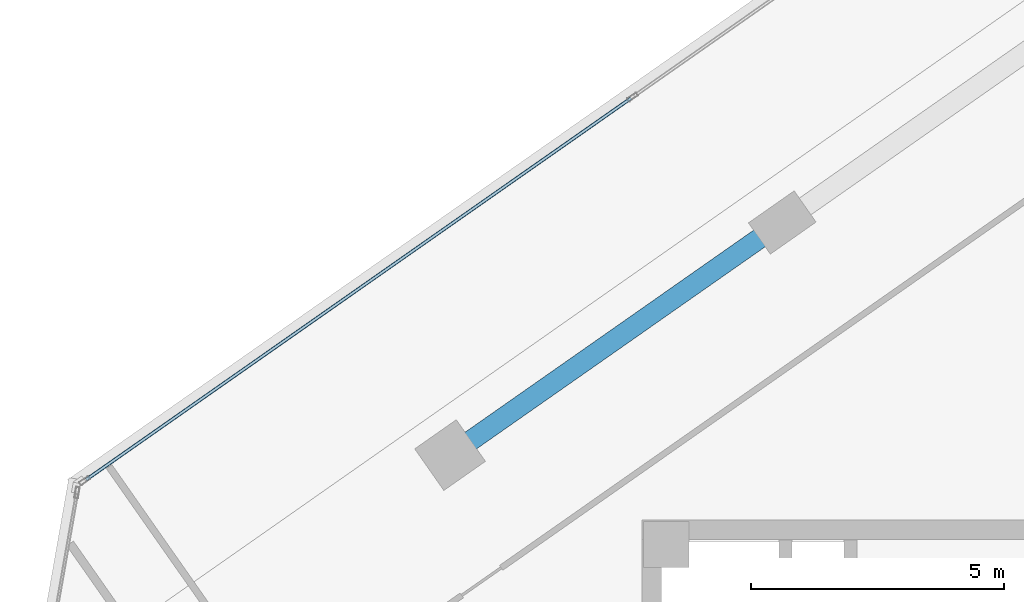
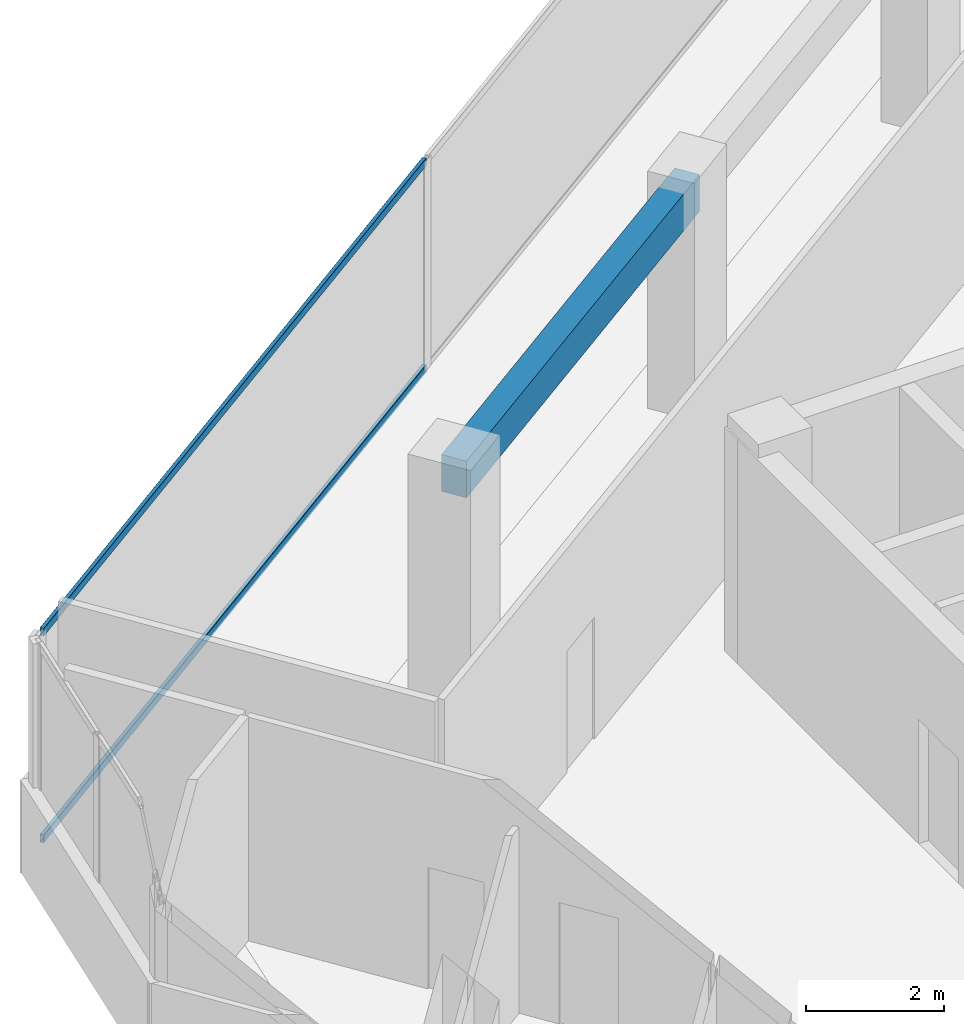
# One storey, part 6 of 17: 2 members, 1 beam, 1 element without a shape of its own.
"""IFC4 building model written with IfcOpenShell, lengths in metres."""

from ifc_helpers import new_model, si_unit, direction, frame, origin, origin_2d, place, context, subcontext, project, spatial, rectangle, hollow_rectangle, extrude, source, transform, mapped, material, material_profile, profile_set, type_object, element, aggregate, save


model = new_model("IFC4")

# Units and contexts
model_context = context("Model", 3, precision=1e-05, world=origin(), true_north=direction((0.0, 1.0)))
body_context = subcontext(model_context, "Body", "Model", "MODEL_VIEW")
ifc_project = project(units=[si_unit("LENGTHUNIT", "METRE"), si_unit("AREAUNIT", "SQUARE_METRE"), si_unit("VOLUMEUNIT", "CUBIC_METRE"), si_unit("PLANEANGLEUNIT", "RADIAN"), si_unit("MASSUNIT", "GRAM", prefix="KILO")], contexts=[model_context])

# Site, building, storey
site_placement = place(None, origin())
site = spatial("IfcSite", under=ifc_project, at=site_placement, CompositionType="ELEMENT")
building_placement = place(site_placement, origin())
building = spatial("IfcBuilding", under=site, at=building_placement, Name="Torre Montelarca", CompositionType="ELEMENT")
storey_placement = place(building_placement, frame((0.0, 0.0, 298.800048828125)))
storey = spatial("IfcBuildingStorey", under=building, at=storey_placement, Name="L67", CompositionType="ELEMENT", Elevation=298.800048828125)

# Beam
ifc_material_1 = material(Name="Concrete C40/50", Category="concrete")
ifc_material_profile_1 = material_profile(ifc_material_1, rectangle(XDim=0.39990234375, YDim=0.64990234375, at=origin_2d()), Name="RCB400X650", Category="concrete")
ifc_profile_set_1 = profile_set([ifc_material_profile_1], Name="Concrete C40/50")
beam_type = type_object("IfcBeamType", Name="BM-SP-RC650-EXT", PredefinedType="SPANDREL", material=ifc_profile_set_1)
shared_shape_1 = source(origin(), body_context, "Body", "SweptSolid", [
    extrude(rectangle(XDim=0.39990234375, YDim=0.64990234375, at=origin_2d()), origin(), (0.0, 0.0, 1.0), 8.0),
])
beam_placement = place(storey_placement, frame((5.281982421875, 41.214111328125, 3.635009765625), z_axis=(0.819151624752, 0.573577035512, 0.0), x_axis=(-0.573577035512, 0.819151624752, 0.0)))
element("IfcBeam", 1, at=beam_placement, inside=storey, type_object=beam_type, Name="L67 Grid Girder Y 24.0-32.0 at X=4.7", PredefinedType="SPANDREL", context=body_context, shape_type="MappedRepresentation", body=[
    mapped(shared_shape_1, transform((0.0, 0.0, 0.0), scale=1.0)),
])

# Curtain wall, members
ifc_material_2 = material(Name="Insulated low-E laminated glass", Category="glass")
curtain_wall_type = type_object("IfcCurtainWallType", Name="CW-SYS-Z4", PredefinedType="USERDEFINED", material=ifc_material_2)
curtain_wall_placement = place(storey_placement, origin())
curtain_wall = element("IfcCurtainWall", 2, at=curtain_wall_placement, inside=storey, type_object=curtain_wall_type, Name="L67 Curtain Wall Run CW-T3-L67-E10-B1", ObjectType="UNITISED GLAZING", PredefinedType="USERDEFINED")
ifc_material_3 = material(Name="Anodised aluminium AA 6063-T6", Category="aluminium")
ifc_material_profile_2 = material_profile(ifc_material_3, hollow_rectangle(XDim=0.06494140625, YDim=0.139892578125, WallThickness=0.00390625, InnerFilletRadius=0.00390625, OuterFilletRadius=0.008056640625, at=origin_2d()), Name="ALU65X140X4", Category="aluminium")
ifc_profile_set_2 = profile_set([ifc_material_profile_2], Name="Anodised aluminium AA 6063-T6")
member_type = type_object("IfcMemberType", Name="CWT-ALU140", PredefinedType="USERDEFINED", material=ifc_profile_set_2)
shared_shape_2 = source(origin(), body_context, "Body", "SweptSolid", [
    extrude(hollow_rectangle(XDim=0.06494140625, YDim=0.139892578125, WallThickness=0.00390625, InnerFilletRadius=0.00390625, OuterFilletRadius=0.008056640625, at=origin_2d()), origin(), (0.0, 0.0, 1.0), 13.121826171875),
])
member_1_placement = place(storey_placement, frame((8.851806640625, 48.2548828125, 0.032470703125), z_axis=(-0.819152370225, -0.573575970866, 0.0), x_axis=(0.573575970866, -0.819152370225, 0.0)))
member_1 = element("IfcMember", 3, at=member_1_placement, type_object=member_type, Name="CW transom 2.1", ObjectType="TRANSOM", PredefinedType="USERDEFINED", context=body_context, shape_type="MappedRepresentation", body=[
    mapped(shared_shape_2, transform((0.0, 0.0, 0.0), scale=1.0)),
])
member_2_placement = place(storey_placement, frame((8.851806640625, 48.2548828125, 3.6875), z_axis=(-0.819152370225, -0.573575970866, 0.0), x_axis=(0.573575970866, -0.819152370225, 0.0)))
member_2 = element("IfcMember", 4, at=member_2_placement, type_object=member_type, Name="CW transom 2.2", ObjectType="TRANSOM", PredefinedType="USERDEFINED", context=body_context, shape_type="MappedRepresentation", body=[
    mapped(shared_shape_2, transform((0.0, 0.0, 0.0), scale=1.0)),
])
aggregate(curtain_wall, [member_1, member_2])

save(model, "model.ifc")
